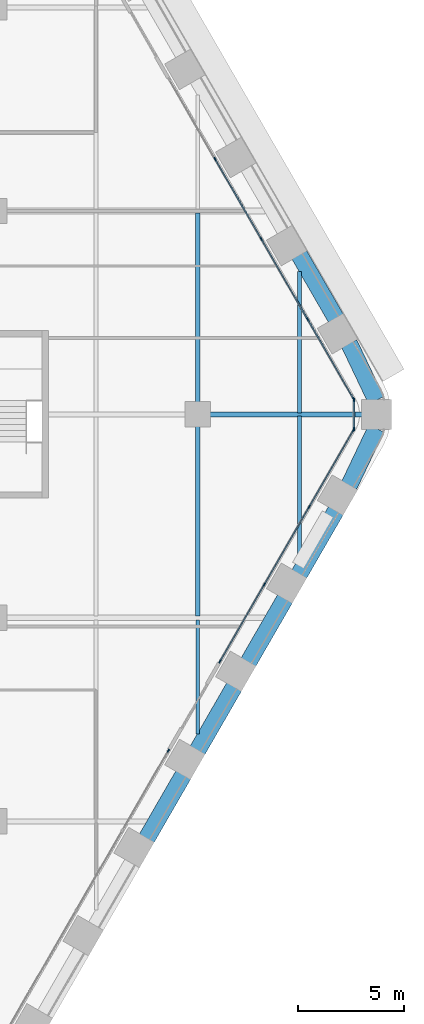
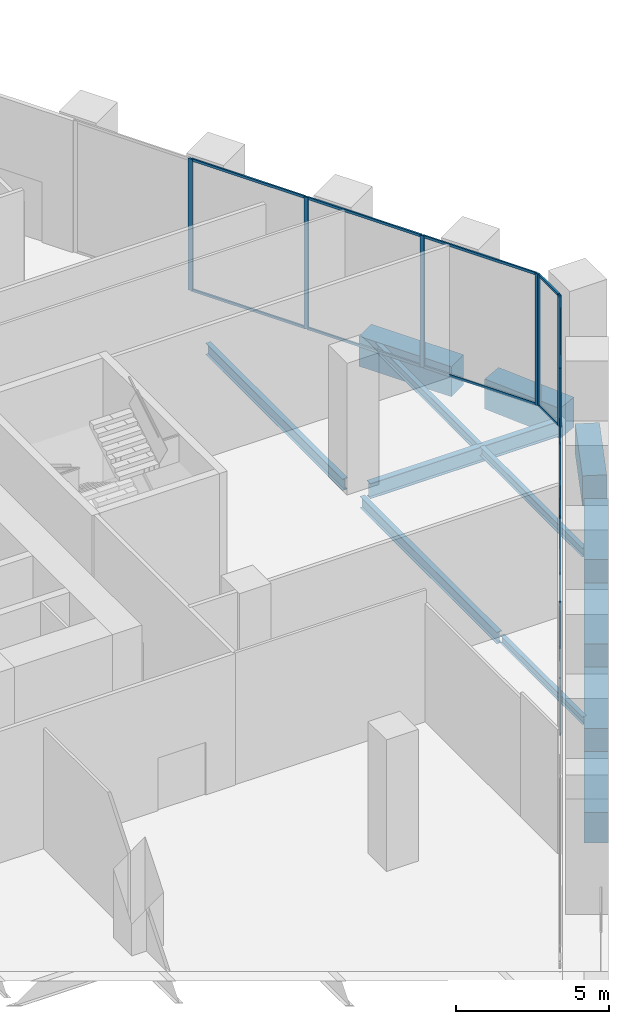
# One storey, part 11 of 27: 25 members, 13 beams, 4 elements without a shape of their own.
"""IFC4 building model written with IfcOpenShell, lengths in metres."""

from ifc_helpers import new_model, si_unit, direction, frame, origin, origin_2d, place, context, subcontext, project, spatial, rectangle, i_section, extrude, material, material_profile, profile_set, type_object, element, aggregate, save


model = new_model("IFC4")

# Units and contexts
model_context = context("Model", 3, precision=1e-05, world=origin(), true_north=direction((0.0, 1.0)))
body_context = subcontext(model_context, "Body", "Model", "MODEL_VIEW")
ifc_project = project(units=[si_unit("LENGTHUNIT", "METRE"), si_unit("AREAUNIT", "SQUARE_METRE"), si_unit("VOLUMEUNIT", "CUBIC_METRE"), si_unit("PLANEANGLEUNIT", "RADIAN"), si_unit("MASSUNIT", "GRAM", prefix="KILO")], contexts=[model_context])

# Site, building, storey
site_placement = place(None, origin())
site = spatial("IfcSite", under=ifc_project, at=site_placement, CompositionType="ELEMENT")
building_placement = place(site_placement, origin())
building = spatial("IfcBuilding", under=site, at=building_placement, Name="Kolab Exchange Tower", CompositionType="ELEMENT")
storey_placement = place(building_placement, frame((0.0, 0.0, 44.39990234375)))
storey = spatial("IfcBuildingStorey", under=building, at=storey_placement, Name="L08", CompositionType="ELEMENT", Elevation=44.39990234375)

# Beams
ifc_material_1 = material(Name="Steel S355", Category="steel")
ifc_material_profile_1 = material_profile(ifc_material_1, i_section(OverallWidth=0.1650390625, OverallDepth=0.31005859375, WebThickness=0.005859375, FlangeThickness=0.009765625, at=origin_2d()), Name="W310X39")
ifc_profile_set_1 = profile_set([ifc_material_profile_1], Name="Steel S355")
beam_type_1 = type_object("IfcBeamType", Name="FLOOR BEAM W310X39", PredefinedType="BEAM", material=ifc_profile_set_1)
beam_1_placement = place(storey_placement, frame((28.800048828125, -15.067626953125, -0.40478515625), z_axis=(0.0, 1.0, 0.0), x_axis=(-1.0, 0.0, 0.0)))
element("IfcBeam", 1, at=beam_1_placement, inside=storey, type_object=beam_type_1, Name="beam/L08/fr/058", PredefinedType="BEAM", context=body_context, shape_type="SweptSolid", body=[
    extrude(i_section(OverallWidth=0.1650390625, OverallDepth=0.31005859375, WebThickness=0.005859375, FlangeThickness=0.009765625, at=origin_2d()), origin(), (0.0, 0.0, 1.0), 5.3740234375),
])
ifc_material_profile_2 = material_profile(ifc_material_1, i_section(OverallWidth=0.1708984375, OverallDepth=0.35498046875, WebThickness=0.007080078125, FlangeThickness=0.01171875, at=origin_2d()), Name="W360X51")
ifc_profile_set_2 = profile_set([ifc_material_profile_2], Name="Steel S355")
beam_type_2 = type_object("IfcBeamType", Name="FLOOR BEAM W360X51", PredefinedType="BEAM", material=ifc_profile_set_2)
for number, where, z_axis, x_axis, name in (
    (2, (33.60009765625, -6.75390625, -0.427490234375), (0.0, 1.0, 0.0), (-1.0, 0.0, 0.0), "beam/L08/fr/062"),
    (3, (33.60009765625, 0.073974609375, -0.427490234375), (0.0, 1.0, 0.0), (-1.0, 0.0, 0.0), "beam/L08/fr/063"),
):
    element("IfcBeam", number, at=place(storey_placement, frame(where, z_axis=z_axis, x_axis=x_axis)), inside=storey, type_object=beam_type_2, Name=name, PredefinedType="BEAM", context=body_context, shape_type="SweptSolid", body=[
        extrude(i_section(OverallWidth=0.1708984375, OverallDepth=0.35498046875, WebThickness=0.007080078125, FlangeThickness=0.01171875, at=origin_2d()), origin(), (0.0, 0.0, 1.0), 6.679931640625),
    ])
ifc_material_profile_3 = material_profile(ifc_material_1, i_section(OverallWidth=0.18994140625, OverallDepth=0.45703125, WebThickness=0.009033203125, FlangeThickness=0.014404296875, at=origin_2d()), Name="W460X74")
ifc_profile_set_3 = profile_set([ifc_material_profile_3], Name="Steel S355")
beam_type_3 = type_object("IfcBeamType", Name="FLOOR BEAM W460X74", PredefinedType="BEAM", material=ifc_profile_set_3)
for number, where, z_axis, x_axis, name in (
    (4, (28.800048828125, -9.506591796875, -0.478515625), (0.0, 1.0, 0.0), (-1.0, 0.0, 0.0), "beam/L08/fr/059"),
    (5, (28.800048828125, 0.56005859375, -0.478515625), (0.0, 1.0, 0.0), (-1.0, 0.0, 0.0), "beam/L08/fr/060"),
):
    element("IfcBeam", number, at=place(storey_placement, frame(where, z_axis=z_axis, x_axis=x_axis)), inside=storey, type_object=beam_type_3, Name=name, PredefinedType="BEAM", context=body_context, shape_type="SweptSolid", body=[
        extrude(i_section(OverallWidth=0.18994140625, OverallDepth=0.45703125, WebThickness=0.009033203125, FlangeThickness=0.014404296875, at=origin_2d()), origin(), (0.0, 0.0, 1.0), 8.946533203125),
    ])
ifc_material_profile_4 = material_profile(ifc_material_1, i_section(OverallWidth=0.22802734375, OverallDepth=0.60791015625, WebThickness=0.01123046875, FlangeThickness=0.017333984375, at=origin_2d()), Name="W610X113")
ifc_profile_set_4 = profile_set([ifc_material_profile_4], Name="Steel S355")
beam_type_4 = type_object("IfcBeamType", Name="FLOOR GIRDER W610X113", PredefinedType="BEAM", material=ifc_profile_set_4)
beam_2_placement = place(storey_placement, frame((29.360107421875, 0.0, -0.553955078125), z_axis=(1.0, 0.0, 0.0), x_axis=(0.0, 1.0, 0.0)))
element("IfcBeam", 6, at=beam_2_placement, inside=storey, type_object=beam_type_4, Name="beam/L08/gd/025", PredefinedType="BEAM", context=body_context, shape_type="SweptSolid", body=[
    extrude(i_section(OverallWidth=0.22802734375, OverallDepth=0.60791015625, WebThickness=0.01123046875, FlangeThickness=0.017333984375, at=origin_2d()), origin(), (0.0, 0.0, 1.0), 7.2158203125),
])
ifc_material_2 = material(Name="Concrete C80/95", Category="concrete")
ifc_material_profile_5 = material_profile(ifc_material_2, rectangle(XDim=0.800048828125, YDim=1.199951171875, at=origin_2d()), Name="RC800X1200")
ifc_profile_set_5 = profile_set([ifc_material_profile_5], Name="Concrete C80/95")
beam_type_5 = type_object("IfcBeamType", Name="SPANDREL BEAM 800X1200 C80/95", PredefinedType="BEAM", material=ifc_profile_set_5)
beam_3_placement = place(storey_placement, frame((33.58349609375, 7.542236328125, -0.849853515625), z_axis=(0.500009906705, -0.86601968407, 0.0), x_axis=(0.86601968407, 0.500009906705, 0.0)))
element("IfcBeam", 7, at=beam_3_placement, inside=storey, type_object=beam_type_5, Name="beam/L08/sp/F2-07", PredefinedType="BEAM", context=body_context, shape_type="SweptSolid", body=[
    extrude(rectangle(XDim=0.800048828125, YDim=1.199951171875, at=origin_2d()), origin(), (0.0, 0.0, 1.0), 3.47998046875),
])
for number, where, z_axis, x_axis, name in (
    (8, (35.93798828125, 3.35888671875, -0.849853515625), (0.429555669245, -0.903040379507, 0.0), (0.903040379507, 0.429555669245, 0.0), "beam/L08/sp/F2-08"),
    (9, (37.219970703125, -0.663818359375, -0.849853515625), (-0.429555669245, -0.903040379507, 0.0), (0.903040379507, -0.429555669245, 0.0), "beam/L08/sp/F3-01"),
):
    element("IfcBeam", number, at=place(storey_placement, frame(where, z_axis=z_axis, x_axis=x_axis)), inside=storey, type_object=beam_type_5, Name=name, PredefinedType="BEAM", context=body_context, shape_type="SweptSolid", body=[
        extrude(rectangle(XDim=0.800048828125, YDim=1.199951171875, at=origin_2d()), origin(), (0.0, 0.0, 1.0), 2.984375),
    ])
beam_4_placement = place(storey_placement, frame((35.323486328125, -4.528564453125, -0.849853515625), z_axis=(-0.500009906705, -0.86601968407, 0.0), x_axis=(0.86601968407, -0.500009906705, 0.0)))
element("IfcBeam", 10, at=beam_4_placement, inside=storey, type_object=beam_type_5, Name="beam/L08/sp/F3-02", PredefinedType="BEAM", context=body_context, shape_type="SweptSolid", body=[
    extrude(rectangle(XDim=0.800048828125, YDim=1.199951171875, at=origin_2d()), origin(), (0.0, 0.0, 1.0), 3.47998046875),
])
for number, where, z_axis, x_axis, name in (
    (11, (32.923583984375, -8.685302734375, -0.849853515625), (-0.499979528911, -0.866037222451, 0.0), (0.866037222451, -0.499979528911, 0.0), "beam/L08/sp/F3-03"),
    (12, (30.523681640625, -12.84228515625, -0.849853515625), (-0.499979528911, -0.866037222451, 0.0), (0.866037222451, -0.499979528911, 0.0), "beam/L08/sp/F3-04"),
):
    element("IfcBeam", number, at=place(storey_placement, frame(where, z_axis=z_axis, x_axis=x_axis)), inside=storey, type_object=beam_type_5, Name=name, PredefinedType="BEAM", context=body_context, shape_type="SweptSolid", body=[
        extrude(rectangle(XDim=0.800048828125, YDim=1.199951171875, at=origin_2d()), origin(), (0.0, 0.0, 1.0), 3.480224609375),
    ])
beam_5_placement = place(storey_placement, frame((28.12353515625, -16.999267578125, -0.849853515625), z_axis=(-0.500009906705, -0.86601968407, 0.0), x_axis=(0.86601968407, -0.500009906705, 0.0)))
element("IfcBeam", 13, at=beam_5_placement, inside=storey, type_object=beam_type_5, Name="beam/L08/sp/F3-05", PredefinedType="BEAM", context=body_context, shape_type="SweptSolid", body=[
    extrude(rectangle(XDim=0.800048828125, YDim=1.199951171875, at=origin_2d()), origin(), (0.0, 0.0, 1.0), 3.47998046875),
])

# Curtain wall, members
ifc_material_3 = material(Name="Aluminium EN AW-6063 T6", Category="aluminium")
curtain_wall_type = type_object("IfcCurtainWallType", Name="UNITISED LOW ZONE CURTAIN WALL", PredefinedType="NOTDEFINED", material=ifc_material_3)
curtain_wall_1_placement = place(storey_placement, origin())
curtain_wall_1 = element("IfcCurtainWall", 14, at=curtain_wall_1_placement, inside=storey, type_object=curtain_wall_type, Name="cw/L08/F2-2", PredefinedType="NOTDEFINED")
ifc_material_profile_6 = material_profile(ifc_material_3, rectangle(XDim=0.06005859375, YDim=0.159912109375, at=origin_2d()), Name="RECT 60X160")
ifc_profile_set_6 = profile_set([ifc_material_profile_6], Name="Aluminium EN AW-6063 T6")
member_type_1 = type_object("IfcMemberType", Name="UNITISED LOW ZONE MULLION 60 X 160", PredefinedType="MULLION", material=ifc_profile_set_6)
member_1_placement = place(storey_placement, frame((29.615234375, 12.0556640625, 0.0), z_axis=(0.0, 0.0, 1.0), x_axis=(0.866025422102, 0.499999968274, 0.0)))
member_1 = element("IfcMember", 15, at=member_1_placement, type_object=member_type_1, Name="CW1 mullion 2", PredefinedType="MULLION", context=body_context, shape_type="SweptSolid", body=[
    extrude(rectangle(XDim=0.06005859375, YDim=0.159912109375, at=origin_2d()), origin(), (0.0, 0.0, 1.0), 5.25),
])
member_2_placement = place(storey_placement, frame((31.798583984375, 8.27392578125, 0.0), z_axis=(0.0, 0.0, 1.0), x_axis=(0.866025422102, 0.499999968274, 0.0)))
member_2 = element("IfcMember", 16, at=member_2_placement, type_object=member_type_1, Name="CW1 mullion 3", PredefinedType="MULLION", context=body_context, shape_type="SweptSolid", body=[
    extrude(rectangle(XDim=0.06005859375, YDim=0.159912109375, at=origin_2d()), origin(), (0.0, 0.0, 1.0), 5.25),
])
member_3_placement = place(storey_placement, frame((33.982177734375, 4.491943359375, 0.0), z_axis=(0.0, 0.0, 1.0), x_axis=(0.866025422102, 0.499999968274, 0.0)))
member_3 = element("IfcMember", 17, at=member_3_placement, type_object=member_type_1, Name="CW1 mullion 4", PredefinedType="MULLION", context=body_context, shape_type="SweptSolid", body=[
    extrude(rectangle(XDim=0.06005859375, YDim=0.159912109375, at=origin_2d()), origin(), (0.0, 0.0, 1.0), 5.25),
])
member_4_placement = place(storey_placement, frame((36.150634765625, 0.736083984375, 0.0), z_axis=(0.0, 0.0, 1.0), x_axis=(0.866025422102, 0.499999968274, 0.0)))
member_4 = element("IfcMember", 18, at=member_4_placement, type_object=member_type_1, Name="CW1 mullion 5", PredefinedType="MULLION", context=body_context, shape_type="SweptSolid", body=[
    extrude(rectangle(XDim=0.06005859375, YDim=0.159912109375, at=origin_2d()), origin(), (0.0, 0.0, 1.0), 5.25),
])

curtain_wall_2_placement = place(storey_placement, origin())
curtain_wall_2 = element("IfcCurtainWall", 19, at=curtain_wall_2_placement, inside=storey, type_object=curtain_wall_type, Name="cw/L08/F3-1", PredefinedType="NOTDEFINED")
member_5_placement = place(storey_placement, frame((36.150634765625, -0.736083984375, 0.0), z_axis=(0.0, 0.0, 1.0), x_axis=(0.866025427826, -0.499999958358, 0.0)))
member_5 = element("IfcMember", 20, at=member_5_placement, type_object=member_type_1, Name="CW1 mullion 1", PredefinedType="MULLION", context=body_context, shape_type="SweptSolid", body=[
    extrude(rectangle(XDim=0.06005859375, YDim=0.159912109375, at=origin_2d()), origin(), (0.0, 0.0, 1.0), 5.25),
])
member_6_placement = place(storey_placement, frame((34.054443359375, -4.366943359375, 0.0), z_axis=(0.0, 0.0, 1.0), x_axis=(0.866025427826, -0.499999958358, 0.0)))
member_6 = element("IfcMember", 21, at=member_6_placement, type_object=member_type_1, Name="CW1 mullion 2", PredefinedType="MULLION", context=body_context, shape_type="SweptSolid", body=[
    extrude(rectangle(XDim=0.06005859375, YDim=0.159912109375, at=origin_2d()), origin(), (0.0, 0.0, 1.0), 5.25),
])
member_7_placement = place(storey_placement, frame((31.943115234375, -8.02392578125, 0.0), z_axis=(0.0, 0.0, 1.0), x_axis=(0.866025427826, -0.499999958358, 0.0)))
member_7 = element("IfcMember", 22, at=member_7_placement, type_object=member_type_1, Name="CW1 mullion 3", PredefinedType="MULLION", context=body_context, shape_type="SweptSolid", body=[
    extrude(rectangle(XDim=0.06005859375, YDim=0.159912109375, at=origin_2d()), origin(), (0.0, 0.0, 1.0), 5.25),
])
member_8_placement = place(storey_placement, frame((29.8466796875, -11.65478515625, 0.0), z_axis=(0.0, 0.0, 1.0), x_axis=(0.866025427826, -0.499999958358, 0.0)))
member_8 = element("IfcMember", 23, at=member_8_placement, type_object=member_type_1, Name="CW1 mullion 4", PredefinedType="MULLION", context=body_context, shape_type="SweptSolid", body=[
    extrude(rectangle(XDim=0.06005859375, YDim=0.159912109375, at=origin_2d()), origin(), (0.0, 0.0, 1.0), 5.25),
])

# Curtain wall, member
curtain_wall_3_placement = place(storey_placement, origin())
curtain_wall_3 = element("IfcCurtainWall", 24, at=curtain_wall_3_placement, inside=storey, type_object=curtain_wall_type, Name="cw/L08/F3-2", PredefinedType="NOTDEFINED")
member_9_placement = place(storey_placement, frame((27.416748046875, -15.86376953125, 0.0), z_axis=(0.0, 0.0, 1.0), x_axis=(0.866025397318, -0.5000000112, 0.0)))
member_9 = element("IfcMember", 25, at=member_9_placement, type_object=member_type_1, Name="CW1 mullion 1", PredefinedType="MULLION", context=body_context, shape_type="SweptSolid", body=[
    extrude(rectangle(XDim=0.06005859375, YDim=0.159912109375, at=origin_2d()), origin(), (0.0, 0.0, 1.0), 5.25),
])
aggregate(curtain_wall_3, [member_9])

# Curtain wall, members
curtain_wall_4_placement = place(storey_placement, origin())
curtain_wall_4 = element("IfcCurtainWall", 26, at=curtain_wall_4_placement, inside=storey, type_object=curtain_wall_type, Name="cw/L08/F2F3-corner", PredefinedType="NOTDEFINED")
member_10_placement = place(storey_placement, frame((36.165771484375, 0.679931640625, 0.0), z_axis=(0.0, 0.0, 1.0), x_axis=(1.0, 0.0, 0.0)))
member_10 = element("IfcMember", 27, at=member_10_placement, type_object=member_type_1, Name="CW1 mullion 1", PredefinedType="MULLION", context=body_context, shape_type="SweptSolid", body=[
    extrude(rectangle(XDim=0.06005859375, YDim=0.159912109375, at=origin_2d()), origin(), (0.0, 0.0, 1.0), 5.25),
])
member_11_placement = place(storey_placement, frame((36.165771484375, -0.679931640625, 0.0), z_axis=(0.0, 0.0, 1.0), x_axis=(1.0, 0.0, 0.0)))
member_11 = element("IfcMember", 28, at=member_11_placement, type_object=member_type_1, Name="CW1 mullion 2", PredefinedType="MULLION", context=body_context, shape_type="SweptSolid", body=[
    extrude(rectangle(XDim=0.06005859375, YDim=0.159912109375, at=origin_2d()), origin(), (0.0, 0.0, 1.0), 5.25),
])

# Member
ifc_material_profile_7 = material_profile(ifc_material_3, rectangle(XDim=0.06005859375, YDim=0.10009765625, at=origin_2d()), Name="RECT 60X100")
ifc_profile_set_7 = profile_set([ifc_material_profile_7], Name="Aluminium EN AW-6063 T6")
member_type_2 = type_object("IfcMemberType", Name="UNITISED LOW ZONE TRANSOM 60 X 100", PredefinedType="USERDEFINED", material=ifc_profile_set_7)
member_12_placement = place(storey_placement, frame((29.630126953125, 12.02978515625, 0.030029296875), z_axis=(0.500010313095, -0.866019449435, 0.0), x_axis=(0.866019449435, 0.500010313095, 0.0)))
member_12 = element("IfcMember", 29, at=member_12_placement, type_object=member_type_2, Name="CW1 transom 2.1", ObjectType="TRANSOM", PredefinedType="USERDEFINED", context=body_context, shape_type="SweptSolid", body=[
    extrude(rectangle(XDim=0.06005859375, YDim=0.10009765625, at=origin_2d()), origin(), (0.0, 0.0, 1.0), 4.30712890625),
])

member_13_placement = place(storey_placement, frame((29.630126953125, 12.02978515625, 5.22021484375), z_axis=(0.500010313095, -0.866019449435, 0.0), x_axis=(0.866019449435, 0.500010313095, 0.0)))
member_13 = element("IfcMember", 30, at=member_13_placement, type_object=member_type_2, Name="CW1 transom 2.2", ObjectType="TRANSOM", PredefinedType="USERDEFINED", context=body_context, shape_type="SweptSolid", body=[
    extrude(rectangle(XDim=0.06005859375, YDim=0.10009765625, at=origin_2d()), origin(), (0.0, 0.0, 1.0), 4.30712890625),
])

member_14_placement = place(storey_placement, frame((31.813720703125, 8.247802734375, 0.030029296875), z_axis=(0.499967798808, -0.866043994353, 0.0), x_axis=(0.866043994353, 0.499967798808, 0.0)))
member_14 = element("IfcMember", 31, at=member_14_placement, type_object=member_type_2, Name="CW1 transom 3.1", ObjectType="TRANSOM", PredefinedType="USERDEFINED", context=body_context, shape_type="SweptSolid", body=[
    extrude(rectangle(XDim=0.06005859375, YDim=0.10009765625, at=origin_2d()), origin(), (0.0, 0.0, 1.0), 4.306884765625),
])

member_15_placement = place(storey_placement, frame((31.813720703125, 8.247802734375, 5.22021484375), z_axis=(0.499967798808, -0.866043994353, 0.0), x_axis=(0.866043994353, 0.499967798808, 0.0)))
member_15 = element("IfcMember", 32, at=member_15_placement, type_object=member_type_2, Name="CW1 transom 3.2", ObjectType="TRANSOM", PredefinedType="USERDEFINED", context=body_context, shape_type="SweptSolid", body=[
    extrude(rectangle(XDim=0.06005859375, YDim=0.10009765625, at=origin_2d()), origin(), (0.0, 0.0, 1.0), 4.306884765625),
])

member_16_placement = place(storey_placement, frame((33.9970703125, 4.4658203125, 0.030029296875), z_axis=(0.500043627578, -0.866000213925, 0.0), x_axis=(0.866000213925, 0.500043627578, 0.0)))
member_16 = element("IfcMember", 33, at=member_16_placement, type_object=member_type_2, Name="CW1 transom 4.1", ObjectType="TRANSOM", PredefinedType="USERDEFINED", context=body_context, shape_type="SweptSolid", body=[
    extrude(rectangle(XDim=0.06005859375, YDim=0.10009765625, at=origin_2d()), origin(), (0.0, 0.0, 1.0), 4.27685546875),
])

member_17_placement = place(storey_placement, frame((33.9970703125, 4.4658203125, 5.22021484375), z_axis=(0.500043627578, -0.866000213925, 0.0), x_axis=(0.866000213925, 0.500043627578, 0.0)))
member_17 = element("IfcMember", 34, at=member_17_placement, type_object=member_type_2, Name="CW1 transom 4.2", ObjectType="TRANSOM", PredefinedType="USERDEFINED", context=body_context, shape_type="SweptSolid", body=[
    extrude(rectangle(XDim=0.06005859375, YDim=0.10009765625, at=origin_2d()), origin(), (0.0, 0.0, 1.0), 4.27685546875),
])

aggregate(curtain_wall_1, [member_1, member_2, member_3, member_4, member_12, member_13, member_14, member_15, member_16, member_17])

member_18_placement = place(storey_placement, frame((36.1357421875, -0.761962890625, 0.030029296875), z_axis=(-0.500027577057, -0.866009481578, 0.0), x_axis=(0.866009481578, -0.500027577057, 0.0)))
member_18 = element("IfcMember", 35, at=member_18_placement, type_object=member_type_2, Name="CW1 transom 1.1", ObjectType="TRANSOM", PredefinedType="USERDEFINED", context=body_context, shape_type="SweptSolid", body=[
    extrude(rectangle(XDim=0.06005859375, YDim=0.10009765625, at=origin_2d()), origin(), (0.0, 0.0, 1.0), 4.132568359375),
])

member_19_placement = place(storey_placement, frame((36.1357421875, -0.761962890625, 5.22021484375), z_axis=(-0.500027577057, -0.866009481578, 0.0), x_axis=(0.866009481578, -0.500027577057, 0.0)))
member_19 = element("IfcMember", 36, at=member_19_placement, type_object=member_type_2, Name="CW1 transom 1.2", ObjectType="TRANSOM", PredefinedType="USERDEFINED", context=body_context, shape_type="SweptSolid", body=[
    extrude(rectangle(XDim=0.06005859375, YDim=0.10009765625, at=origin_2d()), origin(), (0.0, 0.0, 1.0), 4.132568359375),
])

member_20_placement = place(storey_placement, frame((34.039306640625, -4.392822265625, 0.030029296875), z_axis=(-0.49999322259, -0.866029316688, 0.0), x_axis=(0.866029316688, -0.49999322259, 0.0)))
member_20 = element("IfcMember", 37, at=member_20_placement, type_object=member_type_2, Name="CW1 transom 2.1", ObjectType="TRANSOM", PredefinedType="USERDEFINED", context=body_context, shape_type="SweptSolid", body=[
    extrude(rectangle(XDim=0.06005859375, YDim=0.10009765625, at=origin_2d()), origin(), (0.0, 0.0, 1.0), 4.16259765625),
])

member_21_placement = place(storey_placement, frame((34.039306640625, -4.392822265625, 5.22021484375), z_axis=(-0.49999322259, -0.866029316688, 0.0), x_axis=(0.866029316688, -0.49999322259, 0.0)))
member_21 = element("IfcMember", 38, at=member_21_placement, type_object=member_type_2, Name="CW1 transom 2.2", ObjectType="TRANSOM", PredefinedType="USERDEFINED", context=body_context, shape_type="SweptSolid", body=[
    extrude(rectangle(XDim=0.06005859375, YDim=0.10009765625, at=origin_2d()), origin(), (0.0, 0.0, 1.0), 4.16259765625),
])

member_22_placement = place(storey_placement, frame((31.927978515625, -8.0498046875, 0.030029296875), z_axis=(-0.500001996123, -0.866024251319, 0.0), x_axis=(0.866024251319, -0.500001996123, 0.0)))
member_22 = element("IfcMember", 39, at=member_22_placement, type_object=member_type_2, Name="CW1 transom 3.1", ObjectType="TRANSOM", PredefinedType="USERDEFINED", context=body_context, shape_type="SweptSolid", body=[
    extrude(rectangle(XDim=0.06005859375, YDim=0.10009765625, at=origin_2d()), origin(), (0.0, 0.0, 1.0), 4.1328125),
])

member_23_placement = place(storey_placement, frame((31.927978515625, -8.0498046875, 5.22021484375), z_axis=(-0.500001996123, -0.866024251319, 0.0), x_axis=(0.866024251319, -0.500001996123, 0.0)))
member_23 = element("IfcMember", 40, at=member_23_placement, type_object=member_type_2, Name="CW1 transom 3.2", ObjectType="TRANSOM", PredefinedType="USERDEFINED", context=body_context, shape_type="SweptSolid", body=[
    extrude(rectangle(XDim=0.06005859375, YDim=0.10009765625, at=origin_2d()), origin(), (0.0, 0.0, 1.0), 4.1328125),
])

aggregate(curtain_wall_2, [member_5, member_6, member_7, member_8, member_18, member_19, member_20, member_21, member_22, member_23])

member_24_placement = place(storey_placement, frame((36.165771484375, 0.64990234375, 0.030029296875), z_axis=(0.0, -1.0, 0.0), x_axis=(1.0, 0.0, 0.0)))
member_24 = element("IfcMember", 41, at=member_24_placement, type_object=member_type_2, Name="CW1 transom 1.1", ObjectType="TRANSOM", PredefinedType="USERDEFINED", context=body_context, shape_type="SweptSolid", body=[
    extrude(rectangle(XDim=0.06005859375, YDim=0.10009765625, at=origin_2d()), origin(), (0.0, 0.0, 1.0), 1.2998046875),
])

member_25_placement = place(storey_placement, frame((36.165771484375, 0.64990234375, 5.22021484375), z_axis=(0.0, -1.0, 0.0), x_axis=(1.0, 0.0, 0.0)))
member_25 = element("IfcMember", 42, at=member_25_placement, type_object=member_type_2, Name="CW1 transom 1.2", ObjectType="TRANSOM", PredefinedType="USERDEFINED", context=body_context, shape_type="SweptSolid", body=[
    extrude(rectangle(XDim=0.06005859375, YDim=0.10009765625, at=origin_2d()), origin(), (0.0, 0.0, 1.0), 1.2998046875),
])

aggregate(curtain_wall_4, [member_10, member_11, member_24, member_25])

save(model, "model.ifc")
